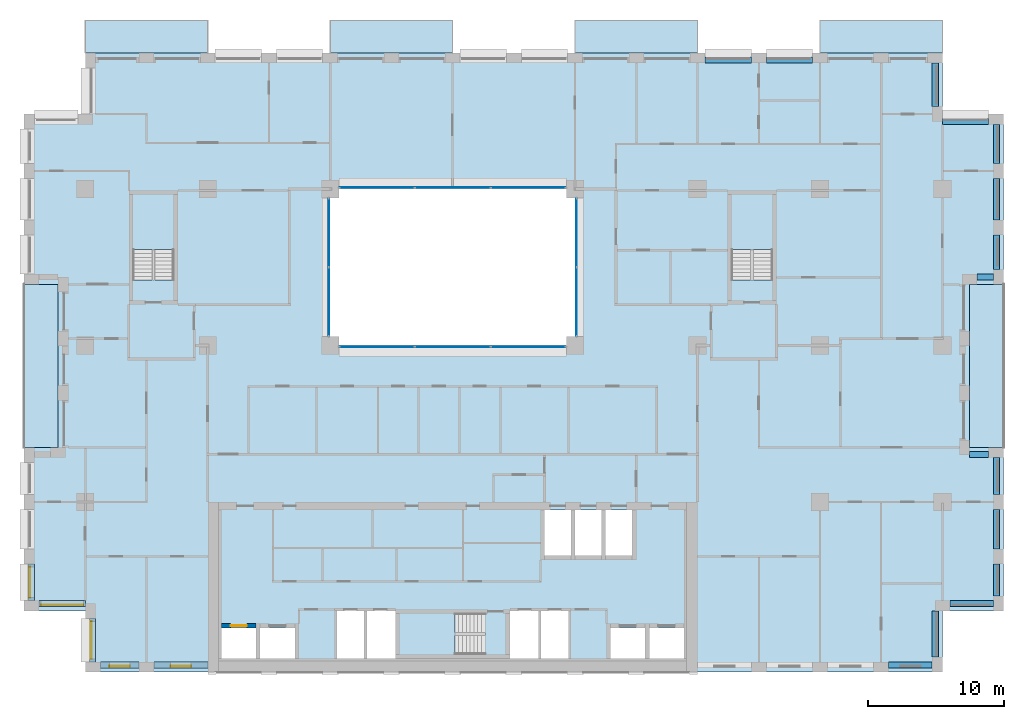
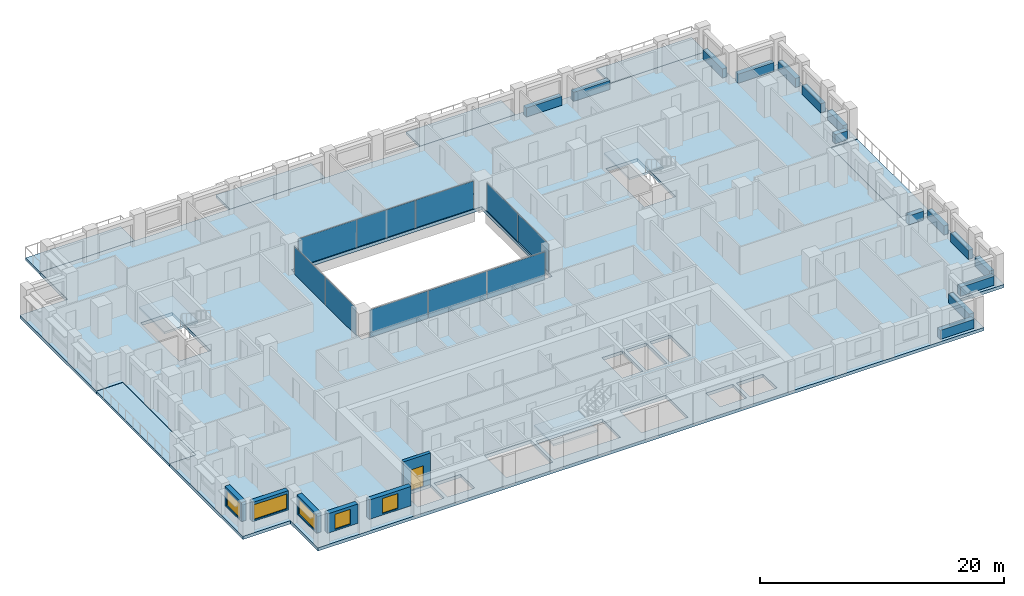
# One storey, part 7 of 16: 15 beams, 10 plates, 10 slabs, 6 walls, 5 windows, 1 door, 6 openings, 7 elements without a shape of their own.
"""IFC4 building model written with IfcOpenShell, lengths in metres."""

from ifc_helpers import new_model, si_unit, direction, frame, frame_2d, origin, origin_2d, place, context, subcontext, project, spatial, polyline, rectangle, outline, extrude, material, layer, layer_set, material_profile, profile_set, type_object, element, fill, aggregate, save


model = new_model("IFC4")

# Units and contexts
model_context = context("Model", 3, precision=1e-05, world=origin(), true_north=direction((0.0, 1.0)))
body_context = subcontext(model_context, "Body", "Model", "MODEL_VIEW")
ifc_project = project(units=[si_unit("LENGTHUNIT", "METRE"), si_unit("AREAUNIT", "SQUARE_METRE"), si_unit("VOLUMEUNIT", "CUBIC_METRE"), si_unit("PLANEANGLEUNIT", "RADIAN"), si_unit("MASSUNIT", "GRAM", prefix="KILO")], contexts=[model_context])

# Site, building, storey
site_placement = place(None, origin())
site = spatial("IfcSite", under=ifc_project, at=site_placement, CompositionType="ELEMENT")
building_placement = place(site_placement, origin())
building = spatial("IfcBuilding", under=site, at=building_placement, Name="Brigalow Station Residences", CompositionType="ELEMENT")
storey_placement = place(building_placement, frame((0.0, 0.0, 108.75)))
storey = spatial("IfcBuildingStorey", under=building, at=storey_placement, Name="L31", CompositionType="ELEMENT", Elevation=108.75)

# Beams
ifc_material_1 = material(Name="Concrete C65", Category="concrete")
ifc_material_profile = material_profile(ifc_material_1, rectangle(XDim=0.449951171875, YDim=0.89990234375, at=origin_2d()), Name="RC450x900")
ifc_profile_set = profile_set([ifc_material_profile], Name="Concrete C65")
beam_type = type_object("IfcBeamType", Name="SPANDREL BEAM 450x900 C65", PredefinedType="SPANDREL", material=ifc_profile_set)
beam_1_placement = place(storey_placement, frame((68.050048828125, 0.52490234375, 0.449951171875), z_axis=(1.0, 0.0, 0.0), x_axis=(0.0, 1.0, 0.0)))
element("IfcBeam", 1, at=beam_1_placement, inside=storey, type_object=beam_type, Name="L31/spandrel/W-L31-7", PredefinedType="SPANDREL", context=body_context, shape_type="SweptSolid", body=[
    extrude(rectangle(XDim=0.449951171875, YDim=0.89990234375, at=origin_2d()), origin(), (0.0, 0.0, 1.0), 3.199951171875),
])
beam_2_placement = place(storey_placement, frame((71.47509765625, 1.10009765625, 0.449951171875), z_axis=(0.0, 1.0, 0.0), x_axis=(-1.0, 0.0, 0.0)))
element("IfcBeam", 2, at=beam_2_placement, inside=storey, type_object=beam_type, Name="L31/spandrel/W-L31-8", PredefinedType="SPANDREL", context=body_context, shape_type="SweptSolid", body=[
    extrude(rectangle(XDim=0.449951171875, YDim=0.89990234375, at=origin_2d()), origin(), (0.0, 0.0, 1.0), 3.39990234375),
])
beam_3_placement = place(storey_placement, frame((72.550048828125, 5.02490234375, 0.449951171875), z_axis=(1.0, 0.0, 0.0), x_axis=(0.0, 1.0, 0.0)))
element("IfcBeam", 3, at=beam_3_placement, inside=storey, type_object=beam_type, Name="L31/spandrel/W-L31-9", PredefinedType="SPANDREL", context=body_context, shape_type="SweptSolid", body=[
    extrude(rectangle(XDim=0.449951171875, YDim=0.89990234375, at=origin_2d()), origin(), (0.0, 0.0, 1.0), 3.199951171875),
])
beam_4_placement = place(storey_placement, frame((75.97509765625, 5.60009765625, 0.449951171875), z_axis=(0.0, 1.0, 0.0), x_axis=(-1.0, 0.0, 0.0)))
element("IfcBeam", 4, at=beam_4_placement, inside=storey, type_object=beam_type, Name="L31/spandrel/W-L31-10", PredefinedType="SPANDREL", context=body_context, shape_type="SweptSolid", body=[
    extrude(rectangle(XDim=0.449951171875, YDim=0.89990234375, at=origin_2d()), origin(), (0.0, 0.0, 1.0), 2.349853515625),
])
beam_5_placement = place(storey_placement, frame((75.97509765625, 9.050048828125, 0.449951171875), z_axis=(0.0, 1.0, 0.0), x_axis=(-1.0, 0.0, 0.0)))
element("IfcBeam", 5, at=beam_5_placement, inside=storey, type_object=beam_type, Name="L31/spandrel/W-L31-11", PredefinedType="SPANDREL", context=body_context, shape_type="SweptSolid", body=[
    extrude(rectangle(XDim=0.449951171875, YDim=0.89990234375, at=origin_2d()), origin(), (0.0, 0.0, 1.0), 2.89990234375),
])
beam_6_placement = place(storey_placement, frame((75.97509765625, 13.050048828125, 0.449951171875), z_axis=(0.0, 1.0, 0.0), x_axis=(-1.0, 0.0, 0.0)))
element("IfcBeam", 6, at=beam_6_placement, inside=storey, type_object=beam_type, Name="L31/spandrel/W-L31-12", PredefinedType="SPANDREL", context=body_context, shape_type="SweptSolid", body=[
    extrude(rectangle(XDim=0.449951171875, YDim=0.89990234375, at=origin_2d()), origin(), (0.0, 0.0, 1.0), 2.699951171875),
])
beam_7_placement = place(storey_placement, frame((75.39990234375, 15.97509765625, 0.449951171875), z_axis=(-1.0, 0.0, 0.0), x_axis=(0.0, -1.0, 0.0)))
element("IfcBeam", 7, at=beam_7_placement, inside=storey, type_object=beam_type, Name="L31/spandrel/W-L31-13", PredefinedType="SPANDREL", context=body_context, shape_type="SweptSolid", body=[
    extrude(rectangle(XDim=0.449951171875, YDim=0.89990234375, at=origin_2d()), origin(), (0.0, 0.0, 1.0), 1.39990234375),
])
beam_8_placement = place(storey_placement, frame((74.550048828125, 29.02490234375, 0.449951171875), z_axis=(1.0, 0.0, 0.0), x_axis=(0.0, 1.0, 0.0)))
element("IfcBeam", 8, at=beam_8_placement, inside=storey, type_object=beam_type, Name="L31/spandrel/W-L31-17", PredefinedType="SPANDREL", context=body_context, shape_type="SweptSolid", body=[
    extrude(rectangle(XDim=0.449951171875, YDim=0.89990234375, at=origin_2d()), origin(), (0.0, 0.0, 1.0), 1.199951171875),
])
beam_9_placement = place(storey_placement, frame((75.97509765625, 29.60009765625, 0.449951171875), z_axis=(0.0, 1.0, 0.0), x_axis=(-1.0, 0.0, 0.0)))
element("IfcBeam", 9, at=beam_9_placement, inside=storey, type_object=beam_type, Name="L31/spandrel/W-L31-18", PredefinedType="SPANDREL", context=body_context, shape_type="SweptSolid", body=[
    extrude(rectangle(XDim=0.449951171875, YDim=0.89990234375, at=origin_2d()), origin(), (0.0, 0.0, 1.0), 2.516845703125),
])
beam_10_placement = place(storey_placement, frame((75.97509765625, 33.217041015625, 0.449951171875), z_axis=(0.0, 1.0, 0.0), x_axis=(-1.0, 0.0, 0.0)))
element("IfcBeam", 10, at=beam_10_placement, inside=storey, type_object=beam_type, Name="L31/spandrel/W-L31-19", PredefinedType="SPANDREL", context=body_context, shape_type="SweptSolid", body=[
    extrude(rectangle(XDim=0.449951171875, YDim=0.89990234375, at=origin_2d()), origin(), (0.0, 0.0, 1.0), 3.06591796875),
])
beam_11_placement = place(storey_placement, frame((75.97509765625, 37.383056640625, 0.449951171875), z_axis=(0.0, 1.0, 0.0), x_axis=(-1.0, 0.0, 0.0)))
element("IfcBeam", 11, at=beam_11_placement, inside=storey, type_object=beam_type, Name="L31/spandrel/W-L31-20", PredefinedType="SPANDREL", context=body_context, shape_type="SweptSolid", body=[
    extrude(rectangle(XDim=0.449951171875, YDim=0.89990234375, at=origin_2d()), origin(), (0.0, 0.0, 1.0), 2.866943359375),
])
beam_12_placement = place(storey_placement, frame((75.39990234375, 40.47509765625, 0.449951171875), z_axis=(-1.0, 0.0, 0.0), x_axis=(0.0, -1.0, 0.0)))
element("IfcBeam", 12, at=beam_12_placement, inside=storey, type_object=beam_type, Name="L31/spandrel/W-L31-21", PredefinedType="SPANDREL", context=body_context, shape_type="SweptSolid", body=[
    extrude(rectangle(XDim=0.449951171875, YDim=0.89990234375, at=origin_2d()), origin(), (0.0, 0.0, 1.0), 3.39990234375),
])
beam_13_placement = place(storey_placement, frame((71.47509765625, 41.550048828125, 0.449951171875), z_axis=(0.0, 1.0, 0.0), x_axis=(-1.0, 0.0, 0.0)))
element("IfcBeam", 13, at=beam_13_placement, inside=storey, type_object=beam_type, Name="L31/spandrel/W-L31-22", PredefinedType="SPANDREL", context=body_context, shape_type="SweptSolid", body=[
    extrude(rectangle(XDim=0.449951171875, YDim=0.89990234375, at=origin_2d()), origin(), (0.0, 0.0, 1.0), 3.199951171875),
])
for number, where, z_axis, x_axis, name in (
    (14, (62.449951171875, 44.97509765625, 0.449951171875), (-1.0, 0.0, 0.0), (0.0, -1.0, 0.0), "L31/spandrel/W-L31-25"),
    (15, (57.949951171875, 44.97509765625, 0.449951171875), (-1.0, 0.0, 0.0), (0.0, -1.0, 0.0), "L31/spandrel/W-L31-26"),
):
    element("IfcBeam", number, at=place(storey_placement, frame(where, z_axis=z_axis, x_axis=x_axis)), inside=storey, type_object=beam_type, Name=name, PredefinedType="SPANDREL", context=body_context, shape_type="SweptSolid", body=[
        extrude(rectangle(XDim=0.449951171875, YDim=0.89990234375, at=origin_2d()), origin(), (0.0, 0.0, 1.0), 3.39990234375),
    ])

# Curtain wall, plates
ifc_material_2 = material(Name="Aluminium", Category="aluminium")
ifc_layer_1 = layer(ifc_material_2, 0.14990234375)
ifc_layer_set_1 = layer_set([ifc_layer_1], Name="ATRIUM FIRE-RATED GLAZING CURTAIN WALL")
curtain_wall_type = type_object("IfcCurtainWallType", Name="ATRIUM FIRE-RATED GLAZING CURTAIN WALL", PredefinedType="NOTDEFINED", material=ifc_layer_set_1)
curtain_wall_1_placement = place(storey_placement, origin())
curtain_wall_1 = element("IfcCurtainWall", 16, at=curtain_wall_1_placement, inside=storey, type_object=curtain_wall_type, Name="L31/cw/atrium-S", PredefinedType="NOTDEFINED")
ifc_material_3 = material(Name="Fire-resisting laminated glazing, FRL -/60/-", Category="glass")
ifc_layer_2 = layer(ifc_material_3, 0.031982421875)
ifc_layer_set_2 = layer_set([ifc_layer_2], Name="ATRIUM FIRE-RATED GLAZING PANEL 32")
plate_type = type_object("IfcPlateType", Name="ATRIUM FIRE-RATED GLAZING PANEL 32", PredefinedType="CURTAIN_PANEL", material=ifc_layer_set_2)
plate_1_placement = place(storey_placement, frame((30.4482421875, 23.89990234375, 0.0), z_axis=(0.0, 0.0, 1.0), x_axis=(1.0, 0.0, 0.0)))
plate_1 = element("IfcPlate", 17, at=plate_1_placement, type_object=plate_type, Name="L31/cw/atrium-S/P00-00", PredefinedType="CURTAIN_PANEL", context=body_context, shape_type="SweptSolid", body=[
    extrude(rectangle(XDim=5.476806640625, YDim=0.031982421875, at=origin_2d()), origin(), (0.0, 0.0, 1.0), 2.77001953125),
])
plate_2_placement = place(storey_placement, frame((36.0, 23.89990234375, 0.0), z_axis=(0.0, 0.0, 1.0), x_axis=(1.0, 0.0, 0.0)))
plate_2 = element("IfcPlate", 18, at=plate_2_placement, type_object=plate_type, Name="L31/cw/atrium-S/P01-00", PredefinedType="CURTAIN_PANEL", context=body_context, shape_type="SweptSolid", body=[
    extrude(rectangle(XDim=5.506591796875, YDim=0.031982421875, at=origin_2d()), origin(), (0.0, 0.0, 1.0), 2.77001953125),
])
plate_3_placement = place(storey_placement, frame((41.5517578125, 23.89990234375, 0.0), z_axis=(0.0, 0.0, 1.0), x_axis=(1.0, 0.0, 0.0)))
plate_3 = element("IfcPlate", 19, at=plate_3_placement, type_object=plate_type, Name="L31/cw/atrium-S/P02-00", PredefinedType="CURTAIN_PANEL", context=body_context, shape_type="SweptSolid", body=[
    extrude(rectangle(XDim=5.476806640625, YDim=0.031982421875, at=origin_2d()), origin(), (0.0, 0.0, 1.0), 2.77001953125),
])
aggregate(curtain_wall_1, [plate_1, plate_2, plate_3])

curtain_wall_2_placement = place(storey_placement, origin())
curtain_wall_2 = element("IfcCurtainWall", 20, at=curtain_wall_2_placement, inside=storey, type_object=curtain_wall_type, Name="L31/cw/atrium-E", PredefinedType="NOTDEFINED")
plate_4_placement = place(storey_placement, frame((45.10009765625, 27.215087890625, 0.0), z_axis=(0.0, 0.0, 1.0), x_axis=(0.0, 1.0, 0.0)))
plate_4 = element("IfcPlate", 21, at=plate_4_placement, type_object=plate_type, Name="L31/cw/atrium-E/P00-00", PredefinedType="CURTAIN_PANEL", context=body_context, shape_type="SweptSolid", body=[
    extrude(rectangle(XDim=5.010009765625, YDim=0.031982421875, at=origin_2d()), origin(), (0.0, 0.0, 1.0), 2.77001953125),
])
plate_5_placement = place(storey_placement, frame((45.10009765625, 32.284912109375, 0.0), z_axis=(0.0, 0.0, 1.0), x_axis=(0.0, 1.0, 0.0)))
plate_5 = element("IfcPlate", 22, at=plate_5_placement, type_object=plate_type, Name="L31/cw/atrium-E/P01-00", PredefinedType="CURTAIN_PANEL", context=body_context, shape_type="SweptSolid", body=[
    extrude(rectangle(XDim=5.010009765625, YDim=0.031982421875, at=origin_2d()), origin(), (0.0, 0.0, 1.0), 2.77001953125),
])
aggregate(curtain_wall_2, [plate_4, plate_5])

curtain_wall_3_placement = place(storey_placement, origin())
curtain_wall_3 = element("IfcCurtainWall", 23, at=curtain_wall_3_placement, inside=storey, type_object=curtain_wall_type, Name="L31/cw/atrium-N", PredefinedType="NOTDEFINED")
plate_6_placement = place(storey_placement, frame((41.5517578125, 35.60009765625, 0.0), z_axis=(0.0, 0.0, 1.0), x_axis=(-1.0, 0.0, 0.0)))
plate_6 = element("IfcPlate", 24, at=plate_6_placement, type_object=plate_type, Name="L31/cw/atrium-N/P00-00", PredefinedType="CURTAIN_PANEL", context=body_context, shape_type="SweptSolid", body=[
    extrude(rectangle(XDim=5.476806640625, YDim=0.031982421875, at=origin_2d()), origin(), (0.0, 0.0, 1.0), 2.77001953125),
])
plate_7_placement = place(storey_placement, frame((36.0, 35.60009765625, 0.0), z_axis=(0.0, 0.0, 1.0), x_axis=(-1.0, 0.0, 0.0)))
plate_7 = element("IfcPlate", 25, at=plate_7_placement, type_object=plate_type, Name="L31/cw/atrium-N/P01-00", PredefinedType="CURTAIN_PANEL", context=body_context, shape_type="SweptSolid", body=[
    extrude(rectangle(XDim=5.506591796875, YDim=0.031982421875, at=origin_2d()), origin(), (0.0, 0.0, 1.0), 2.77001953125),
])
plate_8_placement = place(storey_placement, frame((30.4482421875, 35.60009765625, 0.0), z_axis=(0.0, 0.0, 1.0), x_axis=(-1.0, 0.0, 0.0)))
plate_8 = element("IfcPlate", 26, at=plate_8_placement, type_object=plate_type, Name="L31/cw/atrium-N/P02-00", PredefinedType="CURTAIN_PANEL", context=body_context, shape_type="SweptSolid", body=[
    extrude(rectangle(XDim=5.476806640625, YDim=0.031982421875, at=origin_2d()), origin(), (0.0, 0.0, 1.0), 2.77001953125),
])
aggregate(curtain_wall_3, [plate_6, plate_7, plate_8])

curtain_wall_4_placement = place(storey_placement, origin())
curtain_wall_4 = element("IfcCurtainWall", 27, at=curtain_wall_4_placement, inside=storey, type_object=curtain_wall_type, Name="L31/cw/atrium-W", PredefinedType="NOTDEFINED")
plate_9_placement = place(storey_placement, frame((26.89990234375, 32.284912109375, 0.0), z_axis=(0.0, 0.0, 1.0), x_axis=(0.0, -1.0, 0.0)))
plate_9 = element("IfcPlate", 28, at=plate_9_placement, type_object=plate_type, Name="L31/cw/atrium-W/P00-00", PredefinedType="CURTAIN_PANEL", context=body_context, shape_type="SweptSolid", body=[
    extrude(rectangle(XDim=5.010009765625, YDim=0.031982421875, at=origin_2d()), origin(), (0.0, 0.0, 1.0), 2.77001953125),
])
plate_10_placement = place(storey_placement, frame((26.89990234375, 27.215087890625, 0.0), z_axis=(0.0, 0.0, 1.0), x_axis=(0.0, -1.0, 0.0)))
plate_10 = element("IfcPlate", 29, at=plate_10_placement, type_object=plate_type, Name="L31/cw/atrium-W/P01-00", PredefinedType="CURTAIN_PANEL", context=body_context, shape_type="SweptSolid", body=[
    extrude(rectangle(XDim=5.010009765625, YDim=0.031982421875, at=origin_2d()), origin(), (0.0, 0.0, 1.0), 2.77001953125),
])
aggregate(curtain_wall_4, [plate_9, plate_10])

# Slabs
ifc_material_4 = material(Name="Concrete C50 precast", Category="concrete")
ifc_layer_3 = layer(ifc_material_4, 0.25)
ifc_layer_set_3 = layer_set([ifc_layer_3], Name="BALCONY SLAB 250")
slab_type_1 = type_object("IfcSlabType", Name="BALCONY SLAB 250", PredefinedType="USERDEFINED", material=ifc_layer_set_3)
slab_1_placement = place(storey_placement, frame((0.0, 0.0, -0.2900390625)))
element("IfcSlab", 30, at=slab_1_placement, inside=storey, type_object=slab_type_1, Name="L31/balcony/1", ObjectType="BALCONY", PredefinedType="USERDEFINED", context=body_context, shape_type="SweptSolid", body=[
    extrude(outline(polyline([(74.0, 16.5), (76.5, 16.5), (76.5, 28.5), (74.0, 28.5), (74.0, 16.5)])), origin(), (0.0, 0.0, 1.0), 0.25),
])
slab_2_placement = place(storey_placement, frame((0.0, 0.0, -0.2900390625)))
element("IfcSlab", 31, at=slab_2_placement, inside=storey, type_object=slab_type_1, Name="L31/balcony/2", ObjectType="BALCONY", PredefinedType="USERDEFINED", context=body_context, shape_type="SweptSolid", body=[
    extrude(outline(polyline([(72.0, 45.5), (72.0, 47.89990234375), (63.0, 47.89990234375), (63.0, 45.5), (72.0, 45.5)])), origin(), (0.0, 0.0, 1.0), 0.25),
])
slab_3_placement = place(storey_placement, frame((0.0, 0.0, -0.2900390625)))
element("IfcSlab", 32, at=slab_3_placement, inside=storey, type_object=slab_type_1, Name="L31/balcony/3", ObjectType="BALCONY", PredefinedType="USERDEFINED", context=body_context, shape_type="SweptSolid", body=[
    extrude(outline(polyline([(54.0, 45.5), (54.0, 47.89990234375), (45.0, 47.89990234375), (45.0, 45.5), (54.0, 45.5)])), origin(), (0.0, 0.0, 1.0), 0.25),
])
slab_4_placement = place(storey_placement, frame((0.0, 0.0, -0.2900390625)))
element("IfcSlab", 33, at=slab_4_placement, inside=storey, type_object=slab_type_1, Name="L31/balcony/4", ObjectType="BALCONY", PredefinedType="USERDEFINED", context=body_context, shape_type="SweptSolid", body=[
    extrude(outline(polyline([(36.0, 45.5), (36.0, 47.89990234375), (27.0, 47.89990234375), (27.0, 45.5), (36.0, 45.5)])), origin(), (0.0, 0.0, 1.0), 0.25),
])
slab_5_placement = place(storey_placement, frame((0.0, 0.0, -0.2900390625)))
element("IfcSlab", 34, at=slab_5_placement, inside=storey, type_object=slab_type_1, Name="L31/balcony/5", ObjectType="BALCONY", PredefinedType="USERDEFINED", context=body_context, shape_type="SweptSolid", body=[
    extrude(outline(polyline([(18.0, 45.5), (18.0, 47.89990234375), (9.0, 47.89990234375), (9.0, 45.5), (18.0, 45.5)])), origin(), (0.0, 0.0, 1.0), 0.25),
])
slab_6_placement = place(storey_placement, frame((0.0, 0.0, -0.2900390625)))
element("IfcSlab", 35, at=slab_6_placement, inside=storey, type_object=slab_type_1, Name="L31/balcony/6", ObjectType="BALCONY", PredefinedType="USERDEFINED", context=body_context, shape_type="SweptSolid", body=[
    extrude(outline(polyline([(7.0, 28.5), (4.5, 28.5), (4.5, 16.5), (7.0, 16.5), (7.0, 28.5)])), origin(), (0.0, 0.0, 1.0), 0.25),
])
ifc_material_5 = material(Name="Concrete C50", Category="concrete")
ifc_layer_4 = layer(ifc_material_5, 0.320068359375)
ifc_layer_set_4 = layer_set([ifc_layer_4], Name="POST-TENSIONED FLAT PLATE 320 C50")
slab_type_2 = type_object("IfcSlabType", Name="POST-TENSIONED FLAT PLATE 320 C50", PredefinedType="FLOOR", material=ifc_layer_set_4)
slab_7_placement = place(storey_placement, frame((0.0, 0.0, -0.320068359375)))
element("IfcSlab", 36, at=slab_7_placement, inside=storey, type_object=slab_type_2, Name="FLOOR SLAB L31", PredefinedType="FLOOR", context=body_context, shape_type="SweptSolid", body=[
    extrude(outline(polyline([(9.0, 0.0), (72.0, 0.0), (72.0, 4.5), (76.5, 4.5), (76.5, 16.5), (74.0, 16.5), (74.0, 28.5), (76.5, 28.5), (76.5, 41.0), (72.0, 41.0), (72.0, 45.5), (9.0, 45.5), (9.0, 41.0), (4.5, 41.0), (4.5, 28.5), (7.0, 28.5), (7.0, 16.5), (4.5, 16.5), (4.5, 4.5), (9.0, 4.5), (9.0, 0.0)]), holes=[polyline([(12.5048828125, 35.094970703125), (15.4951171875, 35.094970703125), (15.4951171875, 28.804931640625), (12.5048828125, 28.804931640625), (12.5048828125, 35.094970703125)]), polyline([(19.0, 1.0), (19.0, 3.25), (21.550048828125, 3.25), (21.550048828125, 1.0), (19.0, 1.0)]), polyline([(21.85009765625, 3.25), (24.39990234375, 3.25), (24.39990234375, 1.0), (21.85009765625, 1.0), (21.85009765625, 3.25)]), polyline([(27.0, 35.5), (45.0, 35.5), (45.0, 24.0), (27.0, 24.0), (27.0, 35.5)]), polyline([(29.60009765625, 4.60009765625), (31.800048828125, 4.60009765625), (31.800048828125, 1.0), (29.60009765625, 1.0), (27.39990234375, 1.0), (27.39990234375, 4.60009765625), (29.60009765625, 4.60009765625)]), polyline([(32.10498046875, 4.294921875), (38.39501953125, 4.294921875), (38.39501953125, 1.304931640625), (32.10498046875, 1.304931640625), (32.10498046875, 4.294921875)]), polyline([(40.199951171875, 4.60009765625), (42.39990234375, 4.60009765625), (44.60009765625, 4.60009765625), (44.60009765625, 1.0), (42.39990234375, 1.0), (40.199951171875, 1.0), (40.199951171875, 4.60009765625)]), polyline([(42.75, 11.89990234375), (44.699951171875, 11.89990234375), (44.699951171875, 8.550048828125), (42.75, 8.550048828125), (42.75, 11.89990234375)]), polyline([(45.0, 11.89990234375), (46.949951171875, 11.89990234375), (46.949951171875, 8.550048828125), (45.0, 8.550048828125), (45.0, 11.89990234375)]), polyline([(47.25, 11.89990234375), (49.199951171875, 11.89990234375), (49.199951171875, 8.550048828125), (47.25, 8.550048828125), (47.25, 11.89990234375)]), polyline([(47.60009765625, 3.25), (50.14990234375, 3.25), (50.14990234375, 1.0), (47.60009765625, 1.0), (47.60009765625, 3.25)]), polyline([(50.449951171875, 3.25), (53.0, 3.25), (53.0, 1.0), (50.449951171875, 1.0), (50.449951171875, 3.25)]), polyline([(56.5048828125, 35.094970703125), (59.4951171875, 35.094970703125), (59.4951171875, 28.804931640625), (56.5048828125, 28.804931640625), (56.5048828125, 35.094970703125)])]), origin(), (0.0, 0.0, 1.0), 0.320068359375),
])

# Stair, slab
ifc_material_6 = material(Name="Concrete C50", Category="concrete")
stair_type = type_object("IfcStairType", Name="EXIT STAIR 1400 2 FLIGHT", PredefinedType="HALF_TURN_STAIR", material=ifc_material_6)
stair_1_placement = place(storey_placement, origin())
stair_1 = element("IfcStair", 37, at=stair_1_placement, inside=storey, type_object=stair_type, Name="EXIT STAIR S2 L31", PredefinedType="HALF_TURN_STAIR")
ifc_material_7 = material(Name="Concrete C50", Category="concrete")
ifc_layer_5 = layer(ifc_material_7, 0.199951171875)
ifc_layer_set_5 = layer_set([ifc_layer_5], Name="STAIR LANDING 200")
slab_type_3 = type_object("IfcSlabType", Name="STAIR LANDING 200", PredefinedType="LANDING", material=ifc_layer_set_5)
slab_8_placement = place(storey_placement, frame((0.0, 0.0, 1.375)))
slab_8 = element("IfcSlab", 38, at=slab_8_placement, type_object=slab_type_3, Name="ST-2 landing 1", PredefinedType="LANDING", context=body_context, shape_type="SweptSolid", body=[
    extrude(outline(polyline([(32.0, 1.199951171875), (36.159912109375, 1.199951171875), (36.159912109375, 4.39990234375), (32.0, 4.39990234375), (32.0, 1.199951171875)])), origin(), (0.0, 0.0, 1.0), 0.199951171875),
])
aggregate(stair_1, [slab_8])

stair_2_placement = place(storey_placement, origin())
stair_2 = element("IfcStair", 39, at=stair_2_placement, inside=storey, type_object=stair_type, Name="EXIT STAIR S1 L31", PredefinedType="HALF_TURN_STAIR")
slab_9_placement = place(storey_placement, frame((0.0, 0.0, 1.375)))
slab_9 = element("IfcSlab", 40, at=slab_9_placement, type_object=slab_type_3, Name="ST-1 landing 1", PredefinedType="LANDING", context=body_context, shape_type="SweptSolid", body=[
    extrude(outline(polyline([(12.39990234375, 31.0400390625), (15.60009765625, 31.0400390625), (15.60009765625, 35.199951171875), (12.39990234375, 35.199951171875), (12.39990234375, 31.0400390625)])), origin(), (0.0, 0.0, 1.0), 0.199951171875),
])
aggregate(stair_2, [slab_9])

stair_3_placement = place(storey_placement, origin())
stair_3 = element("IfcStair", 41, at=stair_3_placement, inside=storey, type_object=stair_type, Name="EXIT STAIR S3 L31", PredefinedType="HALF_TURN_STAIR")
slab_10_placement = place(storey_placement, frame((0.0, 0.0, 1.375)))
slab_10 = element("IfcSlab", 42, at=slab_10_placement, type_object=slab_type_3, Name="ST-3 landing 1", PredefinedType="LANDING", context=body_context, shape_type="SweptSolid", body=[
    extrude(outline(polyline([(56.39990234375, 31.0400390625), (59.60009765625, 31.0400390625), (59.60009765625, 35.199951171875), (56.39990234375, 35.199951171875), (56.39990234375, 31.0400390625)])), origin(), (0.0, 0.0, 1.0), 0.199951171875),
])
aggregate(stair_3, [slab_10])

# Wall, opening, window
ifc_material_8 = material(Name="Clay brick masonry", Category="masonry")
ifc_layer_6 = layer(ifc_material_8, 0.449951171875)
ifc_layer_set_6 = layer_set([ifc_layer_6], Name="BRICK INFILL WALL 450")
wall_type_1 = type_object("IfcWallType", Name="BRICK INFILL WALL 450", PredefinedType="SOLIDWALL", material=ifc_layer_set_6)
wall_1_placement = place(storey_placement, frame((10.10009765625, 0.52490234375, 0.89990234375), z_axis=(0.0, 0.0, 1.0), x_axis=(1.0, 0.0, 0.0)))
wall_1 = element("IfcWall", 43, at=wall_1_placement, inside=storey, type_object=wall_type_1, Name="L31/ewall/W-L31-1", PredefinedType="SOLIDWALL", context=body_context, shape_type="SweptSolid", body=[
    extrude(rectangle(XDim=2.849853515625, YDim=0.449951171875, at=frame_2d((1.4248046875, 0.0))), origin(), (0.0, 0.0, 1.0), 1.93017578125),
])
opening_1_placement = place(wall_1_placement, frame((0.675048828125, 0.0, 0.14990234375)))
opening_1 = element("IfcOpeningElement", 44, at=opening_1_placement, cuts=wall_1, Name="Opening WT-1", PredefinedType="OPENING", context=body_context, shape_type="SweptSolid", body=[
    extrude(rectangle(XDim=1.5, YDim=1.5, at=frame_2d((0.75, 0.75))), frame((0.0, 0.23486328125, 0.0), z_axis=(0.0, -1.0, 0.0), x_axis=(1.0, 0.0, 0.0)), (0.0, 0.0, 1.0), 0.469970703125),
])
ifc_material_9 = material(Name="Anodised aluminium frame with double glazing", Category="aluminium")
window_type_1 = type_object("IfcWindowType", Name="WINDOW 1500x1500", PartitioningType="SINGLE_PANEL", PredefinedType="WINDOW", material=ifc_material_9)
window_1_placement = place(opening_1_placement, origin())
window_1 = element("IfcWindow", 45, at=window_1_placement, inside=storey, type_object=window_type_1, Name="L31/window/W-L31-1", OverallHeight=1.5, OverallWidth=1.5, PartitioningType="SINGLE_PANEL", PredefinedType="WINDOW", context=body_context, shape_type="SweptSolid", body=[
    extrude(rectangle(XDim=1.5, YDim=1.5, at=frame_2d((0.75, 0.75))), frame((0.0, -0.06494140625, 0.0), z_axis=(0.0, -1.0, 0.0), x_axis=(1.0, 0.0, 0.0)), (0.0, 0.0, 1.0), 0.06005859375),
])
fill(opening_1, window_1)

wall_2_placement = place(storey_placement, frame((14.050048828125, 0.52490234375, 0.89990234375), z_axis=(0.0, 0.0, 1.0), x_axis=(1.0, 0.0, 0.0)))
wall_2 = element("IfcWall", 46, at=wall_2_placement, inside=storey, type_object=wall_type_1, Name="L31/ewall/W-L31-2", PredefinedType="SOLIDWALL", context=body_context, shape_type="SweptSolid", body=[
    extrude(rectangle(XDim=3.949951171875, YDim=0.449951171875, at=frame_2d((1.97509765625, 0.0))), origin(), (0.0, 0.0, 1.0), 1.93017578125),
])
opening_2_placement = place(wall_2_placement, frame((1.22509765625, 0.0, 0.14990234375)))
opening_2 = element("IfcOpeningElement", 47, at=opening_2_placement, cuts=wall_2, Name="Opening WT-1", PredefinedType="OPENING", context=body_context, shape_type="SweptSolid", body=[
    extrude(rectangle(XDim=1.5, YDim=1.5, at=frame_2d((0.75, 0.75))), frame((0.0, 0.23486328125, 0.0), z_axis=(0.0, -1.0, 0.0), x_axis=(1.0, 0.0, 0.0)), (0.0, 0.0, 1.0), 0.469970703125),
])
window_2_placement = place(opening_2_placement, origin())
window_2 = element("IfcWindow", 48, at=window_2_placement, inside=storey, type_object=window_type_1, Name="L31/window/W-L31-2", OverallHeight=1.5, OverallWidth=1.5, PartitioningType="SINGLE_PANEL", PredefinedType="WINDOW", context=body_context, shape_type="SweptSolid", body=[
    extrude(rectangle(XDim=1.5, YDim=1.5, at=frame_2d((0.75, 0.75))), frame((0.0, -0.06494140625, 0.0), z_axis=(0.0, -1.0, 0.0), x_axis=(1.0, 0.0, 0.0)), (0.0, 0.0, 1.0), 0.06005859375),
])
fill(opening_2, window_2)

wall_3_placement = place(storey_placement, frame((5.02490234375, 7.949951171875, 0.89990234375), z_axis=(0.0, 0.0, 1.0), x_axis=(0.0, -1.0, 0.0)))
wall_3 = element("IfcWall", 49, at=wall_3_placement, inside=storey, type_object=wall_type_1, Name="L31/ewall/W-L31-49", PredefinedType="SOLIDWALL", context=body_context, shape_type="SweptSolid", body=[
    extrude(rectangle(XDim=2.699951171875, YDim=0.449951171875, at=frame_2d((1.35009765625, 0.0))), origin(), (0.0, 0.0, 1.0), 1.93017578125),
])
opening_3_placement = place(wall_3_placement, frame((0.22509765625, 0.0, 0.14990234375)))
opening_3 = element("IfcOpeningElement", 50, at=opening_3_placement, cuts=wall_3, Name="Opening WT-6", PredefinedType="OPENING", context=body_context, shape_type="SweptSolid", body=[
    extrude(rectangle(XDim=2.25, YDim=1.5, at=frame_2d((1.125, 0.75))), frame((0.0, 0.23486328125, 0.0), z_axis=(0.0, -1.0, 0.0), x_axis=(1.0, 0.0, 0.0)), (0.0, 0.0, 1.0), 0.469970703125),
])
ifc_material_10 = material(Name="Anodised aluminium frame with double glazing", Category="aluminium")
window_type_2 = type_object("IfcWindowType", Name="WINDOW 2250x1500", PartitioningType="SINGLE_PANEL", PredefinedType="WINDOW", material=ifc_material_10)
window_3_placement = place(opening_3_placement, origin())
window_3 = element("IfcWindow", 51, at=window_3_placement, inside=storey, type_object=window_type_2, Name="L31/window/W-L31-49", OverallHeight=1.5, OverallWidth=2.25, PartitioningType="SINGLE_PANEL", PredefinedType="WINDOW", context=body_context, shape_type="SweptSolid", body=[
    extrude(rectangle(XDim=2.25, YDim=1.5, at=frame_2d((1.125, 0.75))), frame((0.0, -0.06494140625, 0.0), z_axis=(0.0, -1.0, 0.0), x_axis=(1.0, 0.0, 0.0)), (0.0, 0.0, 1.0), 0.06005859375),
])
fill(opening_3, window_3)

wall_4_placement = place(storey_placement, frame((5.60009765625, 5.02490234375, 0.89990234375), z_axis=(0.0, 0.0, 1.0), x_axis=(1.0, 0.0, 0.0)))
wall_4 = element("IfcWall", 52, at=wall_4_placement, inside=storey, type_object=wall_type_1, Name="L31/ewall/W-L31-50", PredefinedType="SOLIDWALL", context=body_context, shape_type="SweptSolid", body=[
    extrude(rectangle(XDim=3.39990234375, YDim=0.449951171875, at=frame_2d((1.699951171875, 0.0))), origin(), (0.0, 0.0, 1.0), 1.93017578125),
])
opening_4_placement = place(wall_4_placement, frame((0.14990234375, 0.0, 0.14990234375)))
opening_4 = element("IfcOpeningElement", 53, at=opening_4_placement, cuts=wall_4, Name="Opening WT-8", PredefinedType="OPENING", context=body_context, shape_type="SweptSolid", body=[
    extrude(rectangle(XDim=3.10009765625, YDim=1.5, at=frame_2d((1.550048828125, 0.75))), frame((0.0, 0.23486328125, 0.0), z_axis=(0.0, -1.0, 0.0), x_axis=(1.0, 0.0, 0.0)), (0.0, 0.0, 1.0), 0.469970703125),
])
ifc_material_11 = material(Name="Anodised aluminium frame with double glazing", Category="aluminium")
window_type_3 = type_object("IfcWindowType", Name="WINDOW 3100x1500", PartitioningType="SINGLE_PANEL", PredefinedType="WINDOW", material=ifc_material_11)
window_4_placement = place(opening_4_placement, origin())
window_4 = element("IfcWindow", 54, at=window_4_placement, inside=storey, type_object=window_type_3, Name="L31/window/W-L31-50", OverallHeight=1.5, OverallWidth=3.10009765625, PartitioningType="SINGLE_PANEL", PredefinedType="WINDOW", context=body_context, shape_type="SweptSolid", body=[
    extrude(rectangle(XDim=3.10009765625, YDim=1.5, at=frame_2d((1.550048828125, 0.75))), frame((0.0, -0.06494140625, 0.0), z_axis=(0.0, -1.0, 0.0), x_axis=(1.0, 0.0, 0.0)), (0.0, 0.0, 1.0), 0.06005859375),
])
fill(opening_4, window_4)

wall_5_placement = place(storey_placement, frame((9.52490234375, 3.949951171875, 0.89990234375), z_axis=(0.0, 0.0, 1.0), x_axis=(0.0, -1.0, 0.0)))
wall_5 = element("IfcWall", 55, at=wall_5_placement, inside=storey, type_object=wall_type_1, Name="L31/ewall/W-L31-51", PredefinedType="SOLIDWALL", context=body_context, shape_type="SweptSolid", body=[
    extrude(rectangle(XDim=3.199951171875, YDim=0.449951171875, at=frame_2d((1.60009765625, 0.0))), origin(), (0.0, 0.0, 1.0), 1.93017578125),
])
opening_5_placement = place(wall_5_placement, frame((0.22509765625, 0.0, 0.14990234375)))
opening_5 = element("IfcOpeningElement", 56, at=opening_5_placement, cuts=wall_5, Name="Opening WT-3", PredefinedType="OPENING", context=body_context, shape_type="SweptSolid", body=[
    extrude(rectangle(XDim=2.75, YDim=1.5, at=frame_2d((1.375, 0.75))), frame((0.0, 0.23486328125, 0.0), z_axis=(0.0, -1.0, 0.0), x_axis=(1.0, 0.0, 0.0)), (0.0, 0.0, 1.0), 0.469970703125),
])
ifc_material_12 = material(Name="Anodised aluminium frame with double glazing", Category="aluminium")
window_type_4 = type_object("IfcWindowType", Name="WINDOW 2750x1500", PartitioningType="SINGLE_PANEL", PredefinedType="WINDOW", material=ifc_material_12)
window_5_placement = place(opening_5_placement, origin())
window_5 = element("IfcWindow", 57, at=window_5_placement, inside=storey, type_object=window_type_4, Name="L31/window/W-L31-51", OverallHeight=1.5, OverallWidth=2.75, PartitioningType="SINGLE_PANEL", PredefinedType="WINDOW", context=body_context, shape_type="SweptSolid", body=[
    extrude(rectangle(XDim=2.75, YDim=1.5, at=frame_2d((1.375, 0.75))), frame((0.0, -0.06494140625, 0.0), z_axis=(0.0, -1.0, 0.0), x_axis=(1.0, 0.0, 0.0)), (0.0, 0.0, 1.0), 0.06005859375),
])
fill(opening_5, window_5)

# Wall, opening, door
ifc_material_13 = material(Name="Concrete C65", Category="concrete")
ifc_layer_7 = layer(ifc_material_13, 0.300048828125)
ifc_layer_set_7 = layer_set([ifc_layer_7], Name="CORE SHEAR WALL 300 C65")
wall_type_2 = type_object("IfcWallType", Name="CORE SHEAR WALL 300 C65", PredefinedType="SHEAR", material=ifc_layer_set_7)
wall_6_placement = place(storey_placement, frame((19.0, 3.39990234375, 0.0), z_axis=(0.0, 0.0, 1.0), x_axis=(1.0, 0.0, 0.0)))
wall_6 = element("IfcWall", 58, at=wall_6_placement, inside=storey, type_object=wall_type_2, Name="CORE WALL SH-C1-N L31", PredefinedType="SHEAR", context=body_context, shape_type="SweptSolid", body=[
    extrude(rectangle(XDim=2.550048828125, YDim=0.300048828125, at=frame_2d((1.27490234375, 0.0))), origin(), (0.0, 0.0, 1.0), 3.14990234375),
])
opening_6_placement = place(wall_6_placement, frame((0.675048828125, 0.0, 0.0)))
opening_6 = element("IfcOpeningElement", 59, at=opening_6_placement, cuts=wall_6, Name="Opening LD-LB1", PredefinedType="OPENING", context=body_context, shape_type="SweptSolid", body=[
    extrude(rectangle(XDim=1.199951171875, YDim=2.10009765625, at=frame_2d((0.60009765625, 1.050048828125))), frame((0.0, 0.16015625, 0.0), z_axis=(0.0, -1.0, 0.0), x_axis=(1.0, 0.0, 0.0)), (0.0, 0.0, 1.0), 0.320068359375),
])
ifc_material_14 = material(Name="Stainless steel sliding door leaves", Category="steel")
door_type = type_object("IfcDoorType", Name="LIFT LANDING DOOR 1200 x 2100", OperationType="DOUBLE_DOOR_SLIDING", PredefinedType="DOOR", material=ifc_material_14)
door_placement = place(opening_6_placement, origin())
door = element("IfcDoor", 60, at=door_placement, inside=storey, type_object=door_type, Name="LANDING DOOR LB1", OperationType="DOUBLE_DOOR_SLIDING", OverallHeight=2.10009765625, OverallWidth=1.199951171875, PredefinedType="DOOR", context=body_context, shape_type="SweptSolid", body=[
    extrude(rectangle(XDim=1.199951171875, YDim=2.10009765625, at=frame_2d((0.60009765625, 1.050048828125))), frame((0.0, 0.02490234375, 0.0), z_axis=(0.0, -1.0, 0.0), x_axis=(1.0, 0.0, 0.0)), (0.0, 0.0, 1.0), 0.050048828125),
])
fill(opening_6, door)

save(model, "model.ifc")
